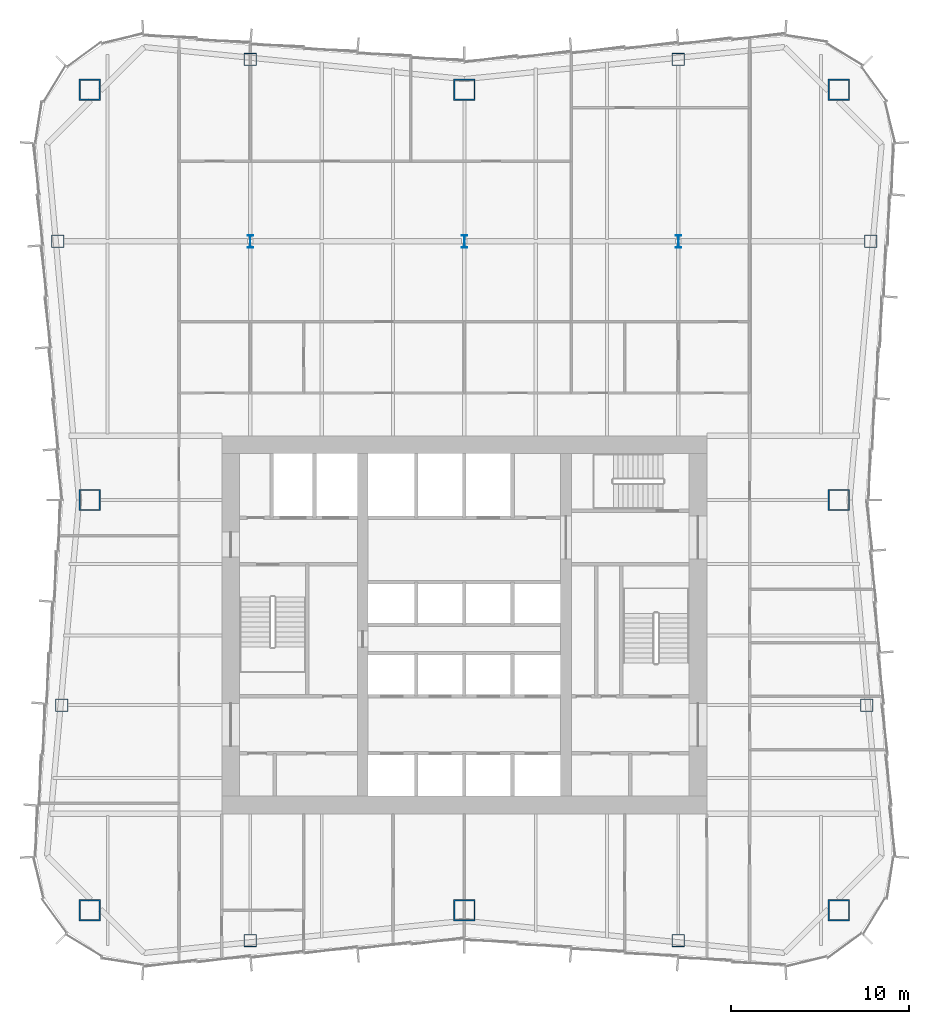
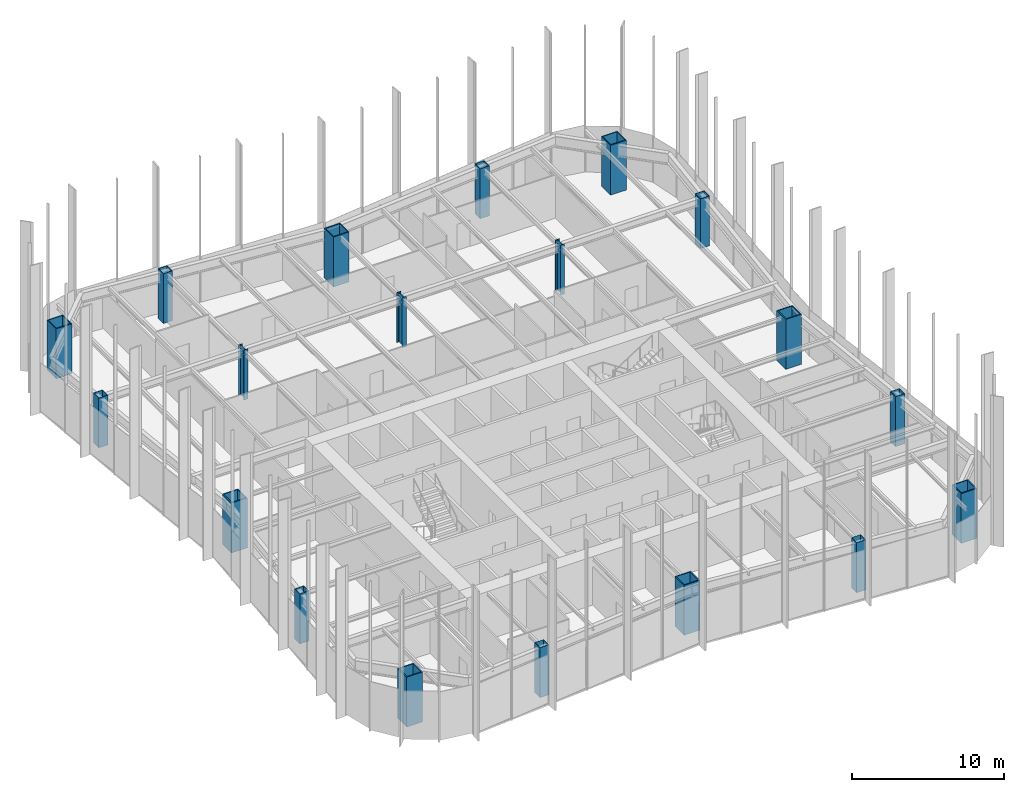
# One storey, part 1 of 13: 19 columns.
"""IFC4 building model written with IfcOpenShell, lengths in metres."""

from ifc_helpers import new_model, si_unit, direction, frame, origin, origin_2d, place, context, subcontext, project, spatial, hollow_rectangle, i_section, extrude, material, material_profile, profile_set, type_object, element, save


model = new_model("IFC4")

# Units and contexts
model_context = context("Model", 3, precision=1e-05, world=origin(), true_north=direction((0.0, 1.0)))
body_context = subcontext(model_context, "Body", "Model", "MODEL_VIEW")
ifc_project = project(units=[si_unit("LENGTHUNIT", "METRE"), si_unit("AREAUNIT", "SQUARE_METRE"), si_unit("VOLUMEUNIT", "CUBIC_METRE"), si_unit("PLANEANGLEUNIT", "RADIAN"), si_unit("MASSUNIT", "GRAM", prefix="KILO")], contexts=[model_context])

# Site, building, storey
site_placement = place(None, origin())
site = spatial("IfcSite", under=ifc_project, at=site_placement, CompositionType="ELEMENT")
building_placement = place(site_placement, origin())
building = spatial("IfcBuilding", under=site, at=building_placement, Name="Verdant Reach Tower", CompositionType="ELEMENT")
storey_placement = place(building_placement, frame((0.0, 0.0, 138.0)))
storey = spatial("IfcBuildingStorey", under=building, at=storey_placement, Name="L31", CompositionType="ELEMENT", Elevation=138.0)

# Columns
ifc_material = material(Name="Steel S460", Category="steel")
ifc_material_profile_1 = material_profile(ifc_material, i_section(OverallWidth=0.30810546875, OverallDepth=0.716064453125, WebThickness=0.02099609375, FlangeThickness=0.0400390625, FilletRadius=0.027099609375, at=origin_2d()), Name="HEM 700")
ifc_profile_set_1 = profile_set([ifc_material_profile_1], Name="Steel S460")
column_type_1 = type_object("IfcColumnType", Name="ST-COL-HEM700", PredefinedType="COLUMN", material=ifc_profile_set_1)
for number, where, z_axis, x_axis, name in (
    (1, (-12.0, 49.5, 0.0), (0.0, 0.0, 1.0), (1.0, 0.0, 0.0), "Interior column 1, L31"),
    (2, (0.0, 49.5, 0.0), (0.0, 0.0, 1.0), (1.0, 0.0, 0.0), "Interior column 2, L31"),
    (3, (12.0, 49.5, 0.0), (0.0, 0.0, 1.0), (1.0, 0.0, 0.0), "Interior column 3, L31"),
):
    element("IfcColumn", number, at=place(storey_placement, frame(where, z_axis=z_axis, x_axis=x_axis)), inside=storey, type_object=column_type_1, Name=name, PredefinedType="COLUMN", context=body_context, shape_type="SweptSolid", body=[
        extrude(i_section(OverallWidth=0.30810546875, OverallDepth=0.716064453125, WebThickness=0.02099609375, FlangeThickness=0.0400390625, FilletRadius=0.027099609375, at=origin_2d()), origin(), (0.0, 0.0, 1.0), 4.0),
    ])
ifc_material_profile_2 = material_profile(ifc_material, hollow_rectangle(XDim=1.199951171875, YDim=1.199951171875, WallThickness=0.070068359375, at=origin_2d()), Name="WB 1200x1200x70")
ifc_profile_set_2 = profile_set([ifc_material_profile_2], Name="Steel S460")
column_type_2 = type_object("IfcColumnType", Name="ST-COL-WB1200x1200x70", PredefinedType="COLUMN", material=ifc_profile_set_2)
for number, where, z_axis, x_axis, name in (
    (4, (-21.0, 58.0, 0.0), (0.0, 0.0, 1.0), (1.0, 0.0, 0.0), "Mega column north-west, L31"),
    (5, (0.0, 58.0, 0.0), (0.0, 0.0, 1.0), (1.0, 0.0, 0.0), "Mega column north, L31"),
    (6, (21.0, 58.0, 0.0), (0.0, 0.0, 1.0), (1.0, 0.0, 0.0), "Mega column north-east, L31"),
    (7, (21.0, 35.0, 0.0), (0.0, 0.0, 1.0), (1.0, 0.0, 0.0), "Mega column east, L31"),
    (8, (21.0, 12.0, 0.0), (0.0, 0.0, 1.0), (1.0, 0.0, 0.0), "Mega column south-east, L31"),
    (9, (0.0, 12.0, 0.0), (0.0, 0.0, 1.0), (1.0, 0.0, 0.0), "Mega column south, L31"),
    (10, (-21.0, 12.0, 0.0), (0.0, 0.0, 1.0), (1.0, 0.0, 0.0), "Mega column south-west, L31"),
    (11, (-21.0, 35.0, 0.0), (0.0, 0.0, 1.0), (1.0, 0.0, 0.0), "Mega column west, L31"),
):
    element("IfcColumn", number, at=place(storey_placement, frame(where, z_axis=z_axis, x_axis=x_axis)), inside=storey, type_object=column_type_2, Name=name, PredefinedType="COLUMN", context=body_context, shape_type="SweptSolid", body=[
        extrude(hollow_rectangle(XDim=1.199951171875, YDim=1.199951171875, WallThickness=0.070068359375, at=origin_2d()), origin(), (0.0, 0.0, 1.0), 4.0),
    ])
ifc_material_profile_3 = material_profile(ifc_material, hollow_rectangle(XDim=0.699951171875, YDim=0.699951171875, WallThickness=0.030029296875, at=origin_2d()), Name="WB 700x700x30")
ifc_profile_set_3 = profile_set([ifc_material_profile_3], Name="Steel S460")
column_type_3 = type_object("IfcColumnType", Name="ST-COL-WB700x700x30", PredefinedType="COLUMN", material=ifc_profile_set_3)
for number, where, z_axis, x_axis, name in (
    (12, (-12.0, 59.699951171875, 0.0), (0.0, 0.0, 1.0), (1.0, 0.0, 0.0), "Perimeter column north 1, L31"),
    (13, (12.0, 59.699951171875, 0.0), (0.0, 0.0, 1.0), (1.0, 0.0, 0.0), "Perimeter column north 2, L31"),
    (14, (-12.0, 10.300048828125, 0.0), (0.0, 0.0, 1.0), (1.0, 0.0, 0.0), "Perimeter column south 1, L31"),
    (15, (12.0, 10.300048828125, 0.0), (0.0, 0.0, 1.0), (1.0, 0.0, 0.0), "Perimeter column south 2, L31"),
    (16, (22.5625, 23.5, 0.0), (0.0, 0.0, 1.0), (1.0, 0.0, 0.0), "Perimeter column east 1, L31"),
    (17, (22.78759765625, 49.5, 0.0), (0.0, 0.0, 1.0), (1.0, 0.0, 0.0), "Perimeter column east 2, L31"),
    (18, (-22.5625, 23.5, 0.0), (0.0, 0.0, 1.0), (1.0, 0.0, 0.0), "Perimeter column west 1, L31"),
    (19, (-22.78759765625, 49.5, 0.0), (0.0, 0.0, 1.0), (1.0, 0.0, 0.0), "Perimeter column west 2, L31"),
):
    element("IfcColumn", number, at=place(storey_placement, frame(where, z_axis=z_axis, x_axis=x_axis)), inside=storey, type_object=column_type_3, Name=name, PredefinedType="COLUMN", context=body_context, shape_type="SweptSolid", body=[
        extrude(hollow_rectangle(XDim=0.699951171875, YDim=0.699951171875, WallThickness=0.030029296875, at=origin_2d()), origin(), (0.0, 0.0, 1.0), 4.0),
    ])

save(model, "model.ifc")
